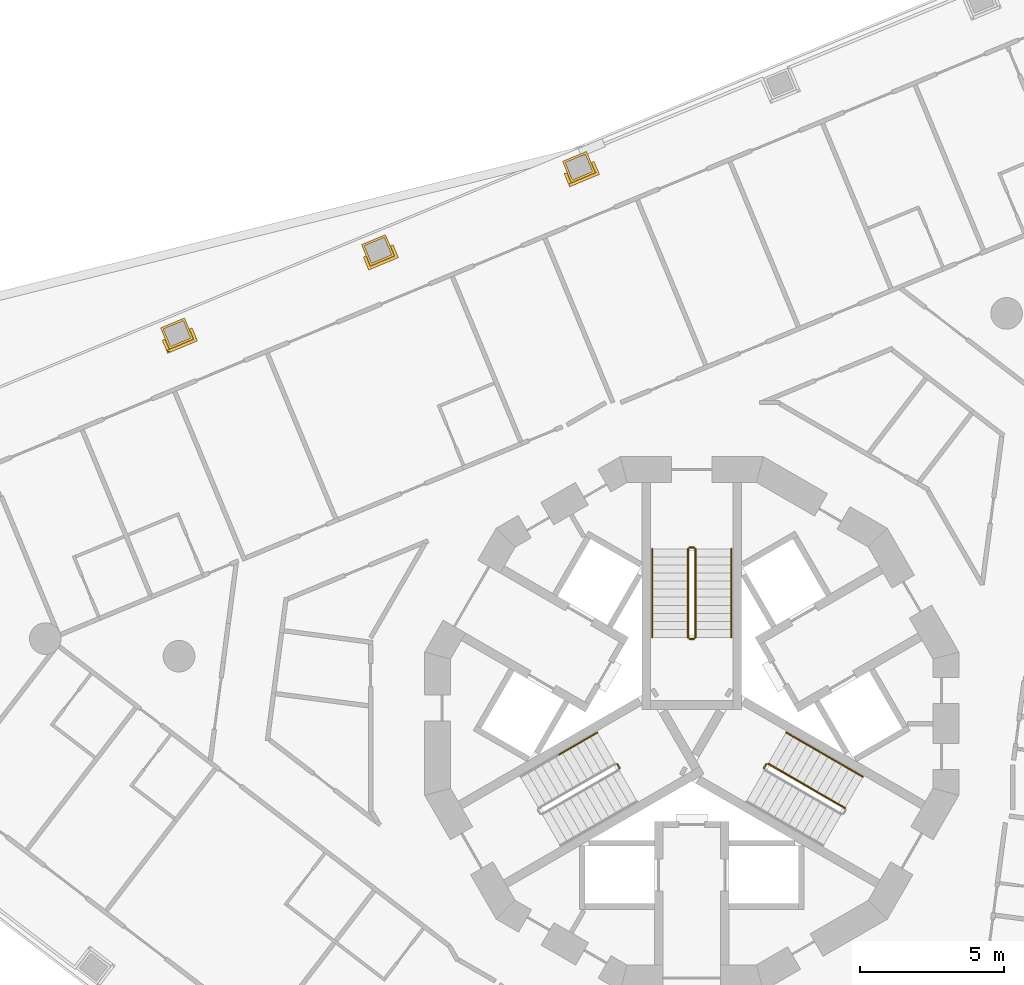
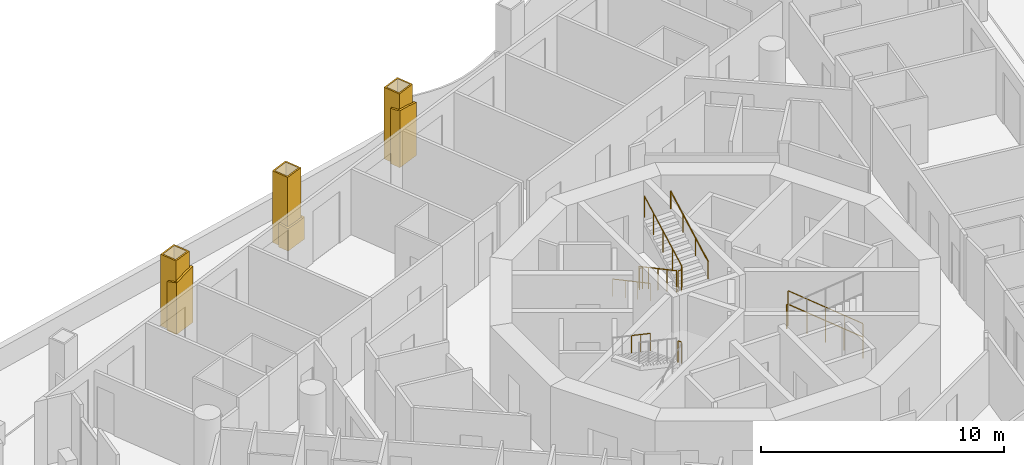
# One storey, part 17 of 19: 15 railings, 3 coverings.
"""IFC4 building model written with IfcOpenShell, lengths in metres."""

from ifc_helpers import new_model, si_unit, direction, frame, origin, origin_2d, place, context, subcontext, project, spatial, polyline, circle, outline, extrude, material, layer, layer_set, type_object, element, save


model = new_model("IFC4")

# Units and contexts
model_context = context("Model", 3, precision=1e-05, world=origin(), true_north=direction((0.0, 1.0)))
body_context = subcontext(model_context, "Body", "Model", "MODEL_VIEW")
ifc_project = project(units=[si_unit("LENGTHUNIT", "METRE"), si_unit("AREAUNIT", "SQUARE_METRE"), si_unit("VOLUMEUNIT", "CUBIC_METRE"), si_unit("PLANEANGLEUNIT", "RADIAN"), si_unit("MASSUNIT", "GRAM", prefix="KILO")], contexts=[model_context])

# Site, building, storey
site_placement = place(None, origin())
site = spatial("IfcSite", under=ifc_project, at=site_placement, CompositionType="ELEMENT")
building_placement = place(site_placement, origin())
building = spatial("IfcBuilding", under=site, at=building_placement, Name="Trine Commons Tower", CompositionType="ELEMENT")
storey_placement = place(building_placement, frame((0.0, 0.0, 124.199951171875)))
storey = spatial("IfcBuildingStorey", under=building, at=storey_placement, Name="L31", CompositionType="ELEMENT", Elevation=124.199951171875)

# Coverings
ifc_material_1 = material(Name="Limestone, honed", Category="masonry")
ifc_layer_1 = layer(ifc_material_1, 0.074951171875)
ifc_layer_set_1 = layer_set([ifc_layer_1], Name="Limestone, honed")
covering_type = type_object("IfcCoveringType", Name="Limestone column cladding 75", PredefinedType="CLADDING", material=ifc_layer_set_1)
covering_1_placement = place(storey_placement, origin())
element("IfcCovering", 1, at=covering_1_placement, inside=storey, type_object=covering_type, Name="Limestone pier cladding 4-11", PredefinedType="CLADDING", context=body_context, shape_type="SweptSolid", body=[
    extrude(outline(polyline([(62.697021484375, 75.84765625), (62.390869140625, 76.5869140625), (61.559326171875, 76.2421875), (61.865478515625, 75.503173828125), (62.697021484375, 75.84765625)]), holes=[polyline([(62.59912109375, 75.88818359375), (62.350341796875, 76.48876953125), (61.657470703125, 76.201904296875), (61.906005859375, 75.601318359375), (62.59912109375, 75.88818359375)])]), origin(), (0.0, 0.0, 1.0), 3.60009765625),
])
covering_2_placement = place(storey_placement, origin())
element("IfcCovering", 2, at=covering_2_placement, inside=storey, type_object=covering_type, Name="Limestone pier cladding 4-12", PredefinedType="CLADDING", context=body_context, shape_type="SweptSolid", body=[
    extrude(outline(polyline([(69.674072265625, 78.73779296875), (69.367919921875, 79.476806640625), (68.53662109375, 79.13232421875), (68.842529296875, 78.393310546875), (69.674072265625, 78.73779296875)]), holes=[polyline([(69.576171875, 78.7783203125), (69.327392578125, 79.37890625), (68.634521484375, 79.091796875), (68.88330078125, 78.4912109375), (69.576171875, 78.7783203125)])]), origin(), (0.0, 0.0, 1.0), 3.60009765625),
])
covering_3_placement = place(storey_placement, origin())
element("IfcCovering", 3, at=covering_3_placement, inside=storey, type_object=covering_type, Name="Limestone pier cladding 4-13", PredefinedType="CLADDING", context=body_context, shape_type="SweptSolid", body=[
    extrude(outline(polyline([(76.651123046875, 81.627685546875), (76.34521484375, 82.366943359375), (75.513671875, 82.0224609375), (75.819580078125, 81.283203125), (76.651123046875, 81.627685546875)]), holes=[polyline([(76.55322265625, 81.668212890625), (76.304443359375, 82.268798828125), (75.611572265625, 81.98193359375), (75.8603515625, 81.38134765625), (76.55322265625, 81.668212890625)])]), origin(), (0.0, 0.0, 1.0), 3.60009765625),
])

# Railings
ifc_material_2 = material(Name="Stainless steel balustrade", Category="steel")
railing_type_1 = type_object("IfcRailingType", Name="Stair guard, steel balustrade 1100", PredefinedType="GUARDRAIL", material=ifc_material_2)
railing_1_placement = place(storey_placement, frame((79.875, 68.570556640625, 0.150146484375)))
element("IfcRailing", 4, at=railing_1_placement, inside=storey, type_object=railing_type_1, Name="L31 ST1B stair guard 1", PredefinedType="GUARDRAIL", context=body_context, shape_type="SweptSolid", body=[
    extrude(circle(Radius=0.02392578125, at=origin_2d()), frame((0.0, 0.0, 1.076171875), z_axis=(0.0, -0.881496589024, 0.472190389079), x_axis=(1.0, 0.0, 0.0)), (0.0, 0.0, 1.0), 3.494140625),
    extrude(circle(Radius=0.02099609375, at=origin_2d()), origin(), (0.0, 0.0, 1.0), 1.052001953125),
    extrude(circle(Radius=0.02099609375, at=origin_2d()), frame((0.0, -0.77001953125, 0.41259765625)), (0.0, 0.0, 1.0), 1.052001953125),
    extrude(circle(Radius=0.02099609375, at=origin_2d()), frame((0.0, -1.5400390625, 0.824951171875)), (0.0, 0.0, 1.0), 1.052001953125),
    extrude(circle(Radius=0.02099609375, at=origin_2d()), frame((0.0, -2.31005859375, 1.2373046875)), (0.0, 0.0, 1.0), 1.052001953125),
    extrude(circle(Radius=0.02099609375, at=origin_2d()), frame((0.0, -3.080078125, 1.64990234375)), (0.0, 0.0, 1.0), 1.052001953125),
])
railing_2_placement = place(storey_placement, frame((79.925048828125, 65.440673828125, 1.800048828125)))
element("IfcRailing", 5, at=railing_2_placement, inside=storey, type_object=railing_type_1, Name="L31 ST1B stair guard 2", PredefinedType="GUARDRAIL", context=body_context, shape_type="SweptSolid", body=[
    extrude(circle(Radius=0.02392578125, at=origin_2d()), frame((0.0, 0.0, 1.076171875), z_axis=(1.0, 0.0, 0.0), x_axis=(0.0, 1.0, 0.0)), (0.0, 0.0, 1.0), 0.14990234375),
    extrude(circle(Radius=0.02099609375, at=origin_2d()), origin(), (0.0, 0.0, 1.0), 1.052001953125),
    extrude(circle(Radius=0.02099609375, at=origin_2d()), frame((0.14990234375, 0.0, 0.0)), (0.0, 0.0, 1.0), 1.052001953125),
])
railing_3_placement = place(storey_placement, frame((80.125, 65.490478515625, 1.949951171875)))
element("IfcRailing", 6, at=railing_3_placement, inside=storey, type_object=railing_type_1, Name="L31 ST1B stair guard 3", PredefinedType="GUARDRAIL", context=body_context, shape_type="SweptSolid", body=[
    extrude(circle(Radius=0.02392578125, at=origin_2d()), frame((0.0, 0.0, 1.076171875), z_axis=(0.0, 0.881467505477, 0.472244678941), x_axis=(-1.0, 0.0, 0.0)), (0.0, 0.0, 1.0), 3.494140625),
    extrude(circle(Radius=0.02099609375, at=origin_2d()), origin(), (0.0, 0.0, 1.0), 1.052001953125),
    extrude(circle(Radius=0.02099609375, at=origin_2d()), frame((0.0, 0.77001953125, 0.41259765625)), (0.0, 0.0, 1.0), 1.052001953125),
    extrude(circle(Radius=0.02099609375, at=origin_2d()), frame((0.0, 1.5400390625, 0.8251953125)), (0.0, 0.0, 1.0), 1.052001953125),
    extrude(circle(Radius=0.02099609375, at=origin_2d()), frame((0.0, 2.31005859375, 1.237548828125)), (0.0, 0.0, 1.0), 1.052001953125),
    extrude(circle(Radius=0.02099609375, at=origin_2d()), frame((0.0, 3.080078125, 1.650146484375)), (0.0, 0.0, 1.0), 1.052001953125),
])
railing_4_placement = place(storey_placement, frame((79.925048828125, 68.62060546875, 0.0)))
element("IfcRailing", 7, at=railing_4_placement, inside=storey, type_object=railing_type_1, Name="L31 ST1B stair guard 4", PredefinedType="GUARDRAIL", context=body_context, shape_type="SweptSolid", body=[
    extrude(circle(Radius=0.02392578125, at=origin_2d()), frame((0.0, 0.0, 1.076171875), z_axis=(1.0, 0.0, 0.0), x_axis=(0.0, 1.0, 0.0)), (0.0, 0.0, 1.0), 0.14990234375),
    extrude(circle(Radius=0.02099609375, at=origin_2d()), origin(), (0.0, 0.0, 1.0), 1.052001953125),
    extrude(circle(Radius=0.02099609375, at=origin_2d()), frame((0.14990234375, 0.0, 0.0)), (0.0, 0.0, 1.0), 1.052001953125),
])
railing_5_placement = place(storey_placement, frame((77.490966796875, 60.96484375, 1.800048828125)))
element("IfcRailing", 8, at=railing_5_placement, inside=storey, type_object=railing_type_1, Name="L31 ST2B stair guard 2", PredefinedType="GUARDRAIL", context=body_context, shape_type="SweptSolid", body=[
    extrude(circle(Radius=0.02392578125, at=origin_2d()), frame((0.0, 0.0, 1.076171875), z_axis=(-0.501036270542, 0.865426285481, 0.0), x_axis=(-0.865426285481, -0.501036270542, 0.0)), (0.0, 0.0, 1.0), 0.150146484375),
    extrude(circle(Radius=0.02099609375, at=origin_2d()), origin(), (0.0, 0.0, 1.0), 1.052001953125),
    extrude(circle(Radius=0.02099609375, at=origin_2d()), frame((-0.0751953125, 0.1298828125, 0.0)), (0.0, 0.0, 1.0), 1.052001953125),
])
railing_6_placement = place(storey_placement, frame((85.31982421875, 59.572998046875, 0.150146484375)))
element("IfcRailing", 9, at=railing_6_placement, inside=storey, type_object=railing_type_1, Name="L31 ST3B stair guard 1", PredefinedType="GUARDRAIL", context=body_context, shape_type="SweptSolid", body=[
    extrude(circle(Radius=0.02392578125, at=origin_2d()), frame((0.0, 0.0, 1.076171875), z_axis=(-0.76340495495, 0.440743040072, 0.472184759798), x_axis=(-0.499992328818, -0.866029832698, 0.0)), (0.0, 0.0, 1.0), 3.494140625),
    extrude(circle(Radius=0.02099609375, at=origin_2d()), origin(), (0.0, 0.0, 1.0), 1.052001953125),
    extrude(circle(Radius=0.02099609375, at=origin_2d()), frame((-0.6669921875, 0.385009765625, 0.41259765625)), (0.0, 0.0, 1.0), 1.052001953125),
    extrude(circle(Radius=0.02099609375, at=origin_2d()), frame((-1.333740234375, 0.77001953125, 0.824951171875)), (0.0, 0.0, 1.0), 1.052001953125),
    extrude(circle(Radius=0.02099609375, at=origin_2d()), frame((-2.00048828125, 1.155029296875, 1.2373046875)), (0.0, 0.0, 1.0), 1.052001953125),
    extrude(circle(Radius=0.02099609375, at=origin_2d()), frame((-2.66748046875, 1.5400390625, 1.64990234375)), (0.0, 0.0, 1.0), 1.052001953125),
])
railing_7_placement = place(storey_placement, frame((82.584228515625, 61.0947265625, 1.800048828125)))
element("IfcRailing", 10, at=railing_7_placement, inside=storey, type_object=railing_type_1, Name="L31 ST3B stair guard 2", PredefinedType="GUARDRAIL", context=body_context, shape_type="SweptSolid", body=[
    extrude(circle(Radius=0.02392578125, at=origin_2d()), frame((0.0, 0.0, 1.076171875), z_axis=(-0.501036270542, -0.865426285481, 0.0), x_axis=(0.865426285481, -0.501036270542, 0.0)), (0.0, 0.0, 1.0), 0.150146484375),
    extrude(circle(Radius=0.02099609375, at=origin_2d()), origin(), (0.0, 0.0, 1.0), 1.052001953125),
    extrude(circle(Radius=0.02099609375, at=origin_2d()), frame((-0.0751953125, -0.1298828125, 0.0)), (0.0, 0.0, 1.0), 1.052001953125),
])
ifc_material_3 = material(Name="Stainless steel handrail", Category="steel")
railing_type_2 = type_object("IfcRailingType", Name="Stair handrail, steel 900", PredefinedType="HANDRAIL", material=ifc_material_3)
railing_8_placement = place(storey_placement, frame((78.625, 68.570556640625, 0.150146484375)))
element("IfcRailing", 11, at=railing_8_placement, inside=storey, type_object=railing_type_2, Name="L31 ST1B stair handrail 1", PredefinedType="HANDRAIL", context=body_context, shape_type="SweptSolid", body=[
    extrude(circle(Radius=0.02099609375, at=origin_2d()), frame((0.0, 0.0, 0.87890625), z_axis=(0.0, -0.881496589024, 0.472190389079), x_axis=(1.0, 0.0, 0.0)), (0.0, 0.0, 1.0), 3.494140625),
    extrude(circle(Radius=0.01513671875, at=origin_2d()), origin(), (0.0, 0.0, 1.0), 0.85791015625),
    extrude(circle(Radius=0.01513671875, at=origin_2d()), frame((0.0, -1.026611328125, 0.550048828125)), (0.0, 0.0, 1.0), 0.85791015625),
    extrude(circle(Radius=0.01513671875, at=origin_2d()), frame((0.0, -2.053466796875, 1.099853515625)), (0.0, 0.0, 1.0), 0.85791015625),
    extrude(circle(Radius=0.01513671875, at=origin_2d()), frame((0.0, -3.080078125, 1.64990234375)), (0.0, 0.0, 1.0), 0.85791015625),
])
railing_9_placement = place(storey_placement, frame((81.375, 65.490478515625, 1.949951171875)))
element("IfcRailing", 12, at=railing_9_placement, inside=storey, type_object=railing_type_2, Name="L31 ST1B stair handrail 2", PredefinedType="HANDRAIL", context=body_context, shape_type="SweptSolid", body=[
    extrude(circle(Radius=0.02099609375, at=origin_2d()), frame((0.0, 0.0, 0.87890625), z_axis=(0.0, 0.881467505477, 0.472244678941), x_axis=(-1.0, 0.0, 0.0)), (0.0, 0.0, 1.0), 3.494140625),
    extrude(circle(Radius=0.01513671875, at=origin_2d()), origin(), (0.0, 0.0, 1.0), 0.85791015625),
    extrude(circle(Radius=0.01513671875, at=origin_2d()), frame((0.0, 1.026611328125, 0.550048828125)), (0.0, 0.0, 1.0), 0.85791015625),
    extrude(circle(Radius=0.01513671875, at=origin_2d()), frame((0.0, 2.053466796875, 1.10009765625)), (0.0, 0.0, 1.0), 0.85791015625),
    extrude(circle(Radius=0.01513671875, at=origin_2d()), frame((0.0, 3.080078125, 1.650146484375)), (0.0, 0.0, 1.0), 0.85791015625),
])
railing_10_placement = place(storey_placement, frame((76.72265625, 62.195556640625, 1.949951171875)))
element("IfcRailing", 13, at=railing_10_placement, inside=storey, type_object=railing_type_2, Name="L31 ST2B stair handrail 3", PredefinedType="HANDRAIL", context=body_context, shape_type="SweptSolid", body=[
    extrude(circle(Radius=0.02099609375, at=origin_2d()), frame((0.0, 0.0, 0.87890625), z_axis=(-0.763354580307, -0.440713956853, 0.472293333596), x_axis=(0.499992328818, -0.866029832698, 0.0)), (0.0, 0.0, 1.0), 1.747314453125),
    extrude(circle(Radius=0.01513671875, at=origin_2d()), origin(), (0.0, 0.0, 1.0), 0.85791015625),
    extrude(circle(Radius=0.01513671875, at=origin_2d()), frame((-0.6669921875, -0.385009765625, 0.41259765625)), (0.0, 0.0, 1.0), 0.85791015625),
    extrude(circle(Radius=0.01513671875, at=origin_2d()), frame((-1.333740234375, -0.77001953125, 0.8251953125)), (0.0, 0.0, 1.0), 0.85791015625),
])
for number, where, name in (
    (14, (85.94482421875, 60.655517578125, 0.150146484375), "L31 ST3B stair handrail 1"),
    (15, (84.611083984375, 61.425537109375, 0.97509765625), "L31 ST3B stair handrail 2"),
):
    element("IfcRailing", number, at=place(storey_placement, frame(where)), inside=storey, type_object=railing_type_2, Name=name, PredefinedType="HANDRAIL", context=body_context, shape_type="SweptSolid", body=[
        extrude(circle(Radius=0.02099609375, at=origin_2d()), frame((0.0, 0.0, 0.87890625), z_axis=(-0.76340495495, 0.440743040072, 0.472184759798), x_axis=(-0.499992328818, -0.866029832698, 0.0)), (0.0, 0.0, 1.0), 1.7470703125),
        extrude(circle(Radius=0.01513671875, at=origin_2d()), origin(), (0.0, 0.0, 1.0), 0.85791015625),
        extrude(circle(Radius=0.01513671875, at=origin_2d()), frame((-0.6669921875, 0.385009765625, 0.41259765625)), (0.0, 0.0, 1.0), 0.85791015625),
        extrude(circle(Radius=0.01513671875, at=origin_2d()), frame((-1.333740234375, 0.77001953125, 0.824951171875)), (0.0, 0.0, 1.0), 0.85791015625),
    ])
ifc_material_4 = material(Name="White powder-coated aluminium", Category="aluminium")
ifc_layer_2 = layer(ifc_material_4, 0.10009765625)
ifc_layer_set_2 = layer_set([ifc_layer_2], Name="White powder-coated aluminium")
railing_type_3 = type_object("IfcRailingType", Name="White balustrade band 100", PredefinedType="GUARDRAIL", material=ifc_layer_set_2)
railing_11_placement = place(storey_placement, origin())
element("IfcRailing", 16, at=railing_11_placement, inside=storey, type_object=railing_type_3, Name="Guard band L31 9", PredefinedType="GUARDRAIL", context=body_context, shape_type="SweptSolid", body=[
    extrude(outline(polyline([(0.0, 0.0), (0.491455078125, 0.0), (0.4912109375, 2.606689453125), (0.01025390625, 2.467529296875), (0.0, 2.46435546875), (0.0, 0.0)])), frame((61.710693359375, 75.8505859375, 0.0), z_axis=(-0.923707807198, -0.38309775113, 0.0), x_axis=(0.38309775113, -0.923707807198, 0.0)), (0.0, 0.0, 1.0), 0.10009765625),
    extrude(outline(polyline([(0.0, 0.0), (1.12158203125, 0.0), (1.12158203125, 2.8212890625), (0.560791015625, 2.71826171875), (0.0, 2.578857421875), (0.0, 0.0)])), frame((61.767578125, 75.45166015625, 0.0), z_axis=(0.382883642655, -0.923796577276, 0.0), x_axis=(0.923796577276, 0.382883642655, 0.0)), (0.0, 0.0, 1.0), 0.10009765625),
    extrude(outline(polyline([(0.0, 0.0), (0.490478515625, 0.0), (0.490478515625, 2.782470703125), (0.480712890625, 2.780029296875), (0.0, 2.8056640625), (0.0, 0.0)])), frame((62.74853515625, 75.74951171875, 0.0), z_axis=(0.923840876652, 0.382776742535, 0.0), x_axis=(-0.382776742535, 0.923840876652, 0.0)), (0.0, 0.0, 1.0), 0.10009765625),
])
railing_12_placement = place(storey_placement, origin())
element("IfcRailing", 17, at=railing_12_placement, inside=storey, type_object=railing_type_3, Name="Guard band L31 10", PredefinedType="GUARDRAIL", context=body_context, shape_type="SweptSolid", body=[
    extrude(outline(polyline([(0.0, 0.0), (0.490966796875, 0.0), (0.490966796875, 1.127685546875), (0.01025390625, 1.186279296875), (0.0, 1.188232421875), (0.0, 0.0)])), frame((68.68798828125, 78.740478515625, 0.0), z_axis=(-0.923986537033, -0.382424998374, 0.0), x_axis=(0.382424998374, -0.923986537033, 0.0)), (0.0, 0.0, 1.0), 0.10009765625),
    extrude(outline(polyline([(0.0, 0.0), (1.121826171875, 0.0), (1.121826171875, 1.11181640625), (0.72021484375, 1.10009765625), (0.56103515625, 1.101806640625), (0.0, 1.137451171875), (0.0, 0.0)])), frame((68.744140625, 78.341552734375, 0.0), z_axis=(0.382620905747, -0.923905429406, 0.0), x_axis=(0.923905429406, 0.382620905747, 0.0)), (0.0, 0.0, 1.0), 0.10009765625),
    extrude(outline(polyline([(0.0, 0.0), (0.490478515625, 0.0), (0.490478515625, 1.145263671875), (0.480712890625, 1.14404296875), (0.0, 1.1064453125), (0.0, 0.0)])), frame((69.7255859375, 78.6396484375, 0.0), z_axis=(0.923840876652, 0.382776742535, 0.0), x_axis=(-0.382776742535, 0.923840876652, 0.0)), (0.0, 0.0, 1.0), 0.10009765625),
])
railing_13_placement = place(storey_placement, origin())
element("IfcRailing", 18, at=railing_13_placement, inside=storey, type_object=railing_type_3, Name="Guard band L31 11", PredefinedType="GUARDRAIL", context=body_context, shape_type="SweptSolid", body=[
    extrude(outline(polyline([(0.0, 0.0), (0.491455078125, 0.0), (0.491455078125, 2.85009765625), (0.491455078125, 2.85009765625), (0.010498046875, 2.780029296875), (0.0, 2.783447265625), (0.0, 0.0)])), frame((75.6650390625, 81.630615234375, 0.0), z_axis=(-0.923956302996, -0.382498039412, 0.0), x_axis=(0.382498039412, -0.923956302996, 0.0)), (0.0, 0.0, 1.0), 0.10009765625),
    extrude(outline(polyline([(0.0, 0.0), (1.121337890625, 0.0), (1.12158203125, 2.662109375), (0.560791015625, 2.781494140625), (0.0, 2.861328125), (0.0, 0.0)])), frame((75.721435546875, 81.231689453125, 0.0), z_axis=(0.382774840167, -0.923841664862, 0.0), x_axis=(0.923841664862, 0.382774840167, 0.0)), (0.0, 0.0, 1.0), 0.10009765625),
    extrude(outline(polyline([(0.0, 0.0), (0.49072265625, 0.0), (0.490966796875, 2.558837890625), (0.480712890625, 2.561767578125), (0.0, 2.686279296875), (0.0, 0.0)])), frame((76.702880859375, 81.529296875, 0.0), z_axis=(0.92391375706, 0.382600796542, 0.0), x_axis=(-0.382600796542, 0.92391375706, 0.0)), (0.0, 0.0, 1.0), 0.10009765625),
])

save(model, "model.ifc")
